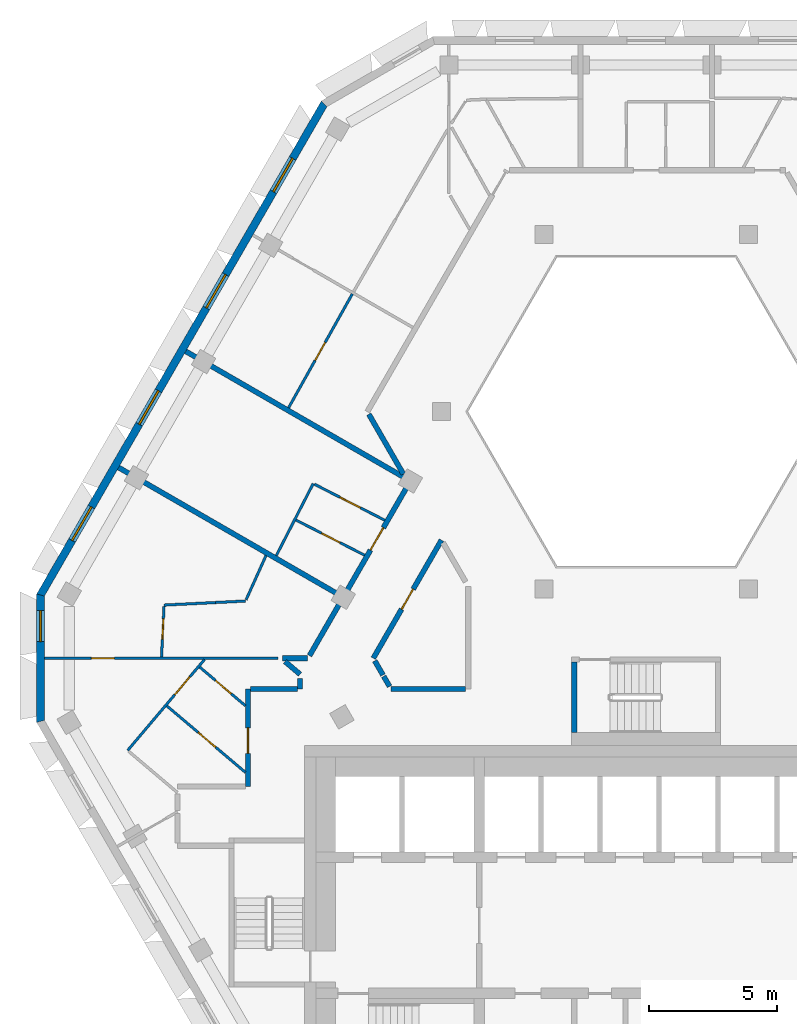
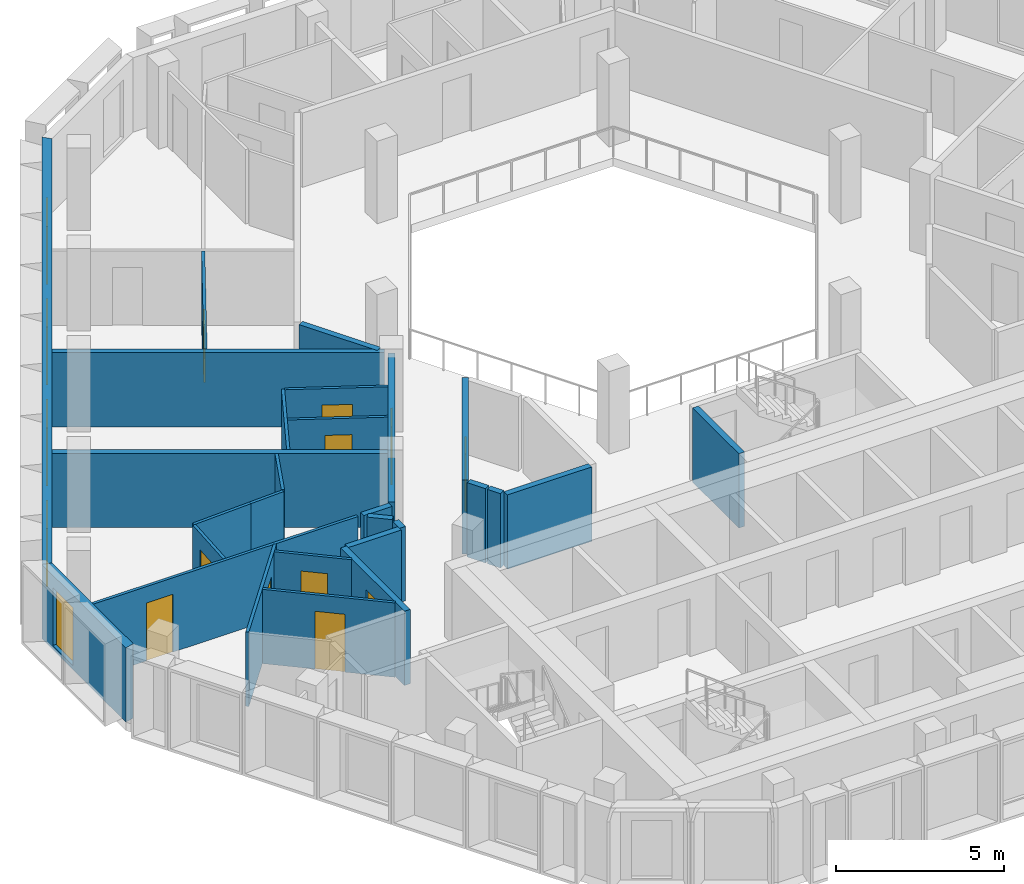
# One storey, part 4 of 15: 28 walls, 11 doors, 5 windows, 16 openings.
"""IFC4 building model written with IfcOpenShell, lengths in metres."""

from ifc_helpers import new_model, si_unit, direction, frame, frame_2d, origin, place, context, subcontext, project, spatial, polyline, rectangle, outline, extrude, material, layer, layer_set, type_object, element, fill, save


model = new_model("IFC4")

# Units and contexts
model_context = context("Model", 3, precision=1e-05, world=origin(), true_north=direction((0.0, 1.0)))
body_context = subcontext(model_context, "Body", "Model", "MODEL_VIEW")
ifc_project = project(units=[si_unit("LENGTHUNIT", "METRE"), si_unit("AREAUNIT", "SQUARE_METRE"), si_unit("VOLUMEUNIT", "CUBIC_METRE"), si_unit("PLANEANGLEUNIT", "RADIAN"), si_unit("MASSUNIT", "GRAM", prefix="KILO")], contexts=[model_context])

# Site, building, storey
site_placement = place(None, origin())
site = spatial("IfcSite", under=ifc_project, at=site_placement, CompositionType="ELEMENT")
building_placement = place(site_placement, origin())
building = spatial("IfcBuilding", under=site, at=building_placement, Name="Beryl Residences", CompositionType="ELEMENT")
storey_placement = place(building_placement, frame((0.0, 0.0, 217.800048828125)))
storey = spatial("IfcBuildingStorey", under=building, at=storey_placement, Name="L67", CompositionType="ELEMENT", Elevation=217.800048828125)

# Wall, openings, windows
ifc_material_1 = material(Name="Composite metal panel with mineral wool insulation")
ifc_layer_1 = layer(ifc_material_1, 0.300048828125)
ifc_layer_set_1 = layer_set([ifc_layer_1], Name="ES1 pale metal composite panel wall 300 mm")
wall_type_1 = type_object("IfcWallType", Name="ES1 pale metal composite panel wall 300 mm", PredefinedType="SOLIDWALL", material=ifc_layer_set_1)
wall_1_placement = place(storey_placement, frame((-12.513916015625, 20.02490234375, 0.0), z_axis=(0.0, 0.0, 1.0), x_axis=(-0.500003656944, -0.866023292436, 0.0)))
wall_1 = element("IfcWall", 1, at=wall_1_placement, inside=storey, type_object=wall_type_1, Name="ES1 external wall L67 NW", PredefinedType="SOLIDWALL", context=body_context, shape_type="SweptSolid", body=[
    extrude(outline(polyline([(0.0, -0.14990234375), (22.170166015625, -0.14990234375), (22.08984375, 0.14990234375), (0.080322265625, 0.14990234375), (0.0, -0.14990234375)])), origin(), (0.0, 0.0, 1.0), 2.699951171875),
])
opening_1_placement = place(wall_1_placement, frame((2.4970703125, 0.0, 0.14990234375)))
opening_1 = element("IfcOpeningElement", 2, at=opening_1_placement, cuts=wall_1, Name="Opening W1", PredefinedType="OPENING", context=body_context, shape_type="SweptSolid", body=[
    extrude(rectangle(XDim=1.5, YDim=2.10009765625, at=frame_2d((0.75, 1.050048828125))), frame((0.0, 0.159912109375, 0.0), z_axis=(0.0, -1.0, 0.0), x_axis=(1.0, 0.0, 0.0)), (0.0, 0.0, 1.0), 0.320068359375),
])
opening_2_placement = place(wall_1_placement, frame((7.721923828125, 0.0, 0.14990234375)))
opening_2 = element("IfcOpeningElement", 3, at=opening_2_placement, cuts=wall_1, Name="Opening W1", PredefinedType="OPENING", context=body_context, shape_type="SweptSolid", body=[
    extrude(rectangle(XDim=1.5, YDim=2.10009765625, at=frame_2d((0.75, 1.050048828125))), frame((0.0, 0.159912109375, 0.0), z_axis=(0.0, -1.0, 0.0), x_axis=(1.0, 0.0, 0.0)), (0.0, 0.0, 1.0), 0.320068359375),
])
opening_3_placement = place(wall_1_placement, frame((12.947998046875, 0.0, 0.14990234375)))
opening_3 = element("IfcOpeningElement", 4, at=opening_3_placement, cuts=wall_1, Name="Opening W1", PredefinedType="OPENING", context=body_context, shape_type="SweptSolid", body=[
    extrude(rectangle(XDim=1.5, YDim=2.10009765625, at=frame_2d((0.75, 1.050048828125))), frame((0.0, 0.159912109375, 0.0), z_axis=(0.0, -1.0, 0.0), x_axis=(1.0, 0.0, 0.0)), (0.0, 0.0, 1.0), 0.320068359375),
])
opening_4_placement = place(wall_1_placement, frame((18.173095703125, 0.0, 0.14990234375)))
opening_4 = element("IfcOpeningElement", 5, at=opening_4_placement, cuts=wall_1, Name="Opening W1", PredefinedType="OPENING", context=body_context, shape_type="SweptSolid", body=[
    extrude(rectangle(XDim=1.5, YDim=2.10009765625, at=frame_2d((0.75, 1.050048828125))), frame((0.0, 0.159912109375, 0.0), z_axis=(0.0, -1.0, 0.0), x_axis=(1.0, 0.0, 0.0)), (0.0, 0.0, 1.0), 0.320068359375),
])
ifc_material_2 = material(Name="Aluminium and clear glass", Category="aluminium")
window_type_1 = type_object("IfcWindowType", Name="W1 cell window 1500 x 2100 mm", PartitioningType="SINGLE_PANEL", PredefinedType="WINDOW", material=ifc_material_2)
window_1_placement = place(opening_1_placement, origin())
window_1 = element("IfcWindow", 6, at=window_1_placement, inside=storey, type_object=window_type_1, Name="W1 window L67 NW 2", OverallHeight=2.10009765625, OverallWidth=1.5, PartitioningType="SINGLE_PANEL", PredefinedType="WINDOW", context=body_context, shape_type="SweptSolid", body=[
    extrude(rectangle(XDim=1.5, YDim=2.10009765625, at=frame_2d((0.75, 1.050048828125))), frame((0.0, 0.030029296875, 0.0), z_axis=(0.0, -1.0, 0.0), x_axis=(1.0, 0.0, 0.0)), (0.0, 0.0, 1.0), 0.06005859375),
])
fill(opening_1, window_1)
window_2_placement = place(opening_2_placement, origin())
window_2 = element("IfcWindow", 7, at=window_2_placement, inside=storey, type_object=window_type_1, Name="W1 window L67 NW 4", OverallHeight=2.10009765625, OverallWidth=1.5, PartitioningType="SINGLE_PANEL", PredefinedType="WINDOW", context=body_context, shape_type="SweptSolid", body=[
    extrude(rectangle(XDim=1.5, YDim=2.10009765625, at=frame_2d((0.75, 1.050048828125))), frame((0.0, 0.030029296875, 0.0), z_axis=(0.0, -1.0, 0.0), x_axis=(1.0, 0.0, 0.0)), (0.0, 0.0, 1.0), 0.06005859375),
])
fill(opening_2, window_2)
window_3_placement = place(opening_3_placement, origin())
window_3 = element("IfcWindow", 8, at=window_3_placement, inside=storey, type_object=window_type_1, Name="W1 window L67 NW 6", OverallHeight=2.10009765625, OverallWidth=1.5, PartitioningType="SINGLE_PANEL", PredefinedType="WINDOW", context=body_context, shape_type="SweptSolid", body=[
    extrude(rectangle(XDim=1.5, YDim=2.10009765625, at=frame_2d((0.75, 1.050048828125))), frame((0.0, 0.030029296875, 0.0), z_axis=(0.0, -1.0, 0.0), x_axis=(1.0, 0.0, 0.0)), (0.0, 0.0, 1.0), 0.06005859375),
])
fill(opening_3, window_3)
window_4_placement = place(opening_4_placement, origin())
window_4 = element("IfcWindow", 9, at=window_4_placement, inside=storey, type_object=window_type_1, Name="W1 window L67 NW 8", OverallHeight=2.10009765625, OverallWidth=1.5, PartitioningType="SINGLE_PANEL", PredefinedType="WINDOW", context=body_context, shape_type="SweptSolid", body=[
    extrude(rectangle(XDim=1.5, YDim=2.10009765625, at=frame_2d((0.75, 1.050048828125))), frame((0.0, 0.030029296875, 0.0), z_axis=(0.0, -1.0, 0.0), x_axis=(1.0, 0.0, 0.0)), (0.0, 0.0, 1.0), 0.06005859375),
])
fill(opening_4, window_4)

# Wall, opening, window
wall_2_placement = place(storey_placement, frame((-23.5791015625, 0.89990234375, 0.0), z_axis=(0.0, 0.0, 1.0), x_axis=(0.0, -1.0, 0.0)))
wall_2 = element("IfcWall", 10, at=wall_2_placement, inside=storey, type_object=wall_type_1, Name="ES1 external wall L67 NW-SW", PredefinedType="SOLIDWALL", context=body_context, shape_type="SweptSolid", body=[
    extrude(outline(polyline([(0.0, -0.14990234375), (5.0, -0.14990234375), (4.919677734375, 0.14990234375), (0.080322265625, 0.14990234375), (0.0, -0.14990234375)])), origin(), (0.0, 0.0, 1.0), 2.699951171875),
])
opening_5_placement = place(wall_2_placement, frame((0.64990234375, 0.0, 0.14990234375)))
opening_5 = element("IfcOpeningElement", 11, at=opening_5_placement, cuts=wall_2, Name="Opening W2", PredefinedType="OPENING", context=body_context, shape_type="SweptSolid", body=[
    extrude(rectangle(XDim=1.199951171875, YDim=2.10009765625, at=frame_2d((0.60009765625, 1.050048828125))), frame((0.0, 0.159912109375, 0.0), z_axis=(0.0, -1.0, 0.0), x_axis=(1.0, 0.0, 0.0)), (0.0, 0.0, 1.0), 0.320068359375),
])
ifc_material_3 = material(Name="Aluminium and clear glass", Category="aluminium")
window_type_2 = type_object("IfcWindowType", Name="W2 chamfer window 1200 x 2100 mm", PartitioningType="SINGLE_PANEL", PredefinedType="WINDOW", material=ifc_material_3)
window_5_placement = place(opening_5_placement, origin())
window_5 = element("IfcWindow", 12, at=window_5_placement, inside=storey, type_object=window_type_2, Name="W2 window L67 NW-SW 1", OverallHeight=2.10009765625, OverallWidth=1.199951171875, PartitioningType="SINGLE_PANEL", PredefinedType="WINDOW", context=body_context, shape_type="SweptSolid", body=[
    extrude(rectangle(XDim=1.199951171875, YDim=2.10009765625, at=frame_2d((0.60009765625, 1.050048828125))), frame((0.0, 0.030029296875, 0.0), z_axis=(0.0, -1.0, 0.0), x_axis=(1.0, 0.0, 0.0)), (0.0, 0.0, 1.0), 0.06005859375),
])
fill(opening_5, window_5)

# Wall, opening, door
ifc_material_4 = material(Name="Gypsum board partition on steel studs", Category="steel")
ifc_layer_2 = layer(ifc_material_4, 0.10009765625)
ifc_layer_set_2 = layer_set([ifc_layer_2], Name="PT1 partition 100 mm gypsum board on steel studs")
wall_type_2 = type_object("IfcWallType", Name="PT1 partition 100 mm gypsum board on steel studs", PredefinedType="PARTITIONING", material=ifc_layer_set_2)
wall_3_placement = place(storey_placement, frame((-12.9169921875, 5.177001953125, 0.0), z_axis=(0.0, 0.0, 1.0), x_axis=(0.889829844516, -0.456292502467, 0.0)))
wall_3 = element("IfcWall", 13, at=wall_3_placement, inside=storey, type_object=wall_type_2, Name="Wall PT1 L67 015", PredefinedType="PARTITIONING", context=body_context, shape_type="SweptSolid", body=[
    extrude(rectangle(XDim=3.079345703125, YDim=0.10009765625, at=frame_2d((1.53955078125, 0.0))), origin(), (0.0, 0.0, 1.0), 2.699951171875),
])
opening_6_placement = place(wall_3_placement, frame((1.114013671875, 0.0, 0.0)))
opening_6 = element("IfcOpeningElement", 14, at=opening_6_placement, cuts=wall_3, Name="Opening D2121", PredefinedType="OPENING", context=body_context, shape_type="SweptSolid", body=[
    extrude(rectangle(XDim=0.89990234375, YDim=2.10009765625, at=frame_2d((0.449951171875, 1.050048828125))), frame((0.0, 0.06005859375, 0.0), z_axis=(0.0, -1.0, 0.0), x_axis=(1.0, 0.0, 0.0)), (0.0, 0.0, 1.0), 0.1201171875),
])
ifc_material_5 = material(Name="Timber door leaf", Category="wood")
door_type_1 = type_object("IfcDoorType", Name="D2 room door 900 x 2100 mm", OperationType="SINGLE_SWING_LEFT", PredefinedType="DOOR", material=ifc_material_5)
door_1_placement = place(opening_6_placement, origin())
door_1 = element("IfcDoor", 15, at=door_1_placement, inside=storey, type_object=door_type_1, Name="Door D2121 L67 001", OperationType="SINGLE_SWING_LEFT", OverallHeight=2.10009765625, OverallWidth=0.89990234375, PredefinedType="DOOR", context=body_context, shape_type="SweptSolid", body=[
    extrude(rectangle(XDim=0.89990234375, YDim=2.10009765625, at=frame_2d((0.449951171875, 1.050048828125))), frame((0.0, 0.02490234375, 0.0), z_axis=(0.0, -1.0, 0.0), x_axis=(1.0, 0.0, 0.0)), (0.0, 0.0, 1.0), 0.050048828125),
])
fill(opening_6, door_1)

wall_4_placement = place(storey_placement, frame((-13.634033203125, 3.780029296875, 0.0), z_axis=(0.0, 0.0, 1.0), x_axis=(0.889908901513, -0.456138298116, 0.0)))
wall_4 = element("IfcWall", 16, at=wall_4_placement, inside=storey, type_object=wall_type_2, Name="Wall PT1 L67 016", PredefinedType="PARTITIONING", context=body_context, shape_type="SweptSolid", body=[
    extrude(rectangle(XDim=3.001708984375, YDim=0.10009765625, at=frame_2d((1.5009765625, 0.0))), origin(), (0.0, 0.0, 1.0), 2.699951171875),
])
opening_7_placement = place(wall_4_placement, frame((1.1259765625, 0.0, 0.0)))
opening_7 = element("IfcOpeningElement", 17, at=opening_7_placement, cuts=wall_4, Name="Opening D2122", PredefinedType="OPENING", context=body_context, shape_type="SweptSolid", body=[
    extrude(rectangle(XDim=0.800048828125, YDim=2.10009765625, at=frame_2d((0.39990234375, 1.050048828125))), frame((0.0, 0.06005859375, 0.0), z_axis=(0.0, -1.0, 0.0), x_axis=(1.0, 0.0, 0.0)), (0.0, 0.0, 1.0), 0.1201171875),
])
ifc_material_6 = material(Name="Timber door leaf", Category="wood")
door_type_2 = type_object("IfcDoorType", Name="D3 bathroom door 800 x 2100 mm", OperationType="SINGLE_SWING_LEFT", PredefinedType="DOOR", material=ifc_material_6)
door_2_placement = place(opening_7_placement, origin())
door_2 = element("IfcDoor", 18, at=door_2_placement, inside=storey, type_object=door_type_2, Name="Door D2122 L67 001", OperationType="SINGLE_SWING_RIGHT", OverallHeight=2.10009765625, OverallWidth=0.800048828125, PredefinedType="DOOR", context=body_context, shape_type="SweptSolid", body=[
    extrude(rectangle(XDim=0.800048828125, YDim=2.10009765625, at=frame_2d((0.39990234375, 1.050048828125))), frame((0.0, 0.02490234375, 0.0), z_axis=(0.0, -1.0, 0.0), x_axis=(1.0, 0.0, 0.0)), (0.0, 0.0, 1.0), 0.050048828125),
])
fill(opening_7, door_2)

wall_5_placement = place(storey_placement, frame((-17.3798828125, -1.947021484375, 0.0), z_axis=(0.0, 0.0, 1.0), x_axis=(0.763616683524, -0.645669854217, 0.0)))
wall_5 = element("IfcWall", 19, at=wall_5_placement, inside=storey, type_object=wall_type_2, Name="Wall PT1 L67 019", PredefinedType="PARTITIONING", context=body_context, shape_type="SweptSolid", body=[
    extrude(rectangle(XDim=2.330810546875, YDim=0.10009765625, at=frame_2d((1.16552734375, 0.0))), origin(), (0.0, 0.0, 1.0), 2.699951171875),
])
opening_8_placement = place(wall_5_placement, frame((0.805908203125, 0.0, 0.0)))
opening_8 = element("IfcOpeningElement", 20, at=opening_8_placement, cuts=wall_5, Name="Opening D2125", PredefinedType="OPENING", context=body_context, shape_type="SweptSolid", body=[
    extrude(rectangle(XDim=0.800048828125, YDim=2.10009765625, at=frame_2d((0.39990234375, 1.050048828125))), frame((0.0, 0.06005859375, 0.0), z_axis=(0.0, -1.0, 0.0), x_axis=(1.0, 0.0, 0.0)), (0.0, 0.0, 1.0), 0.1201171875),
])
door_3_placement = place(opening_8_placement, origin())
door_3 = element("IfcDoor", 21, at=door_3_placement, inside=storey, type_object=door_type_2, Name="Door D2125 L67 001", OperationType="SINGLE_SWING_LEFT", OverallHeight=2.10009765625, OverallWidth=0.800048828125, PredefinedType="DOOR", context=body_context, shape_type="SweptSolid", body=[
    extrude(rectangle(XDim=0.800048828125, YDim=2.10009765625, at=frame_2d((0.39990234375, 1.050048828125))), frame((0.0, 0.02490234375, 0.0), z_axis=(0.0, -1.0, 0.0), x_axis=(1.0, 0.0, 0.0)), (0.0, 0.0, 1.0), 0.050048828125),
])
fill(opening_8, door_3)

wall_6_placement = place(storey_placement, frame((-18.658935546875, -3.458984375, 0.0), z_axis=(0.0, 0.0, 1.0), x_axis=(0.763550385572, -0.64574825489, 0.0)))
wall_6 = element("IfcWall", 22, at=wall_6_placement, inside=storey, type_object=wall_type_2, Name="Wall PT1 L67 020", PredefinedType="PARTITIONING", context=body_context, shape_type="SweptSolid", body=[
    extrude(rectangle(XDim=4.006103515625, YDim=0.10009765625, at=frame_2d((2.0029296875, 0.0))), origin(), (0.0, 0.0, 1.0), 2.699951171875),
])
opening_9_placement = place(wall_6_placement, frame((1.593017578125, 0.0, 0.0)))
opening_9 = element("IfcOpeningElement", 23, at=opening_9_placement, cuts=wall_6, Name="Opening D2124", PredefinedType="OPENING", context=body_context, shape_type="SweptSolid", body=[
    extrude(rectangle(XDim=0.89990234375, YDim=2.10009765625, at=frame_2d((0.449951171875, 1.050048828125))), frame((0.0, 0.06005859375, 0.0), z_axis=(0.0, -1.0, 0.0), x_axis=(1.0, 0.0, 0.0)), (0.0, 0.0, 1.0), 0.1201171875),
])
door_4_placement = place(opening_9_placement, origin())
door_4 = element("IfcDoor", 24, at=door_4_placement, inside=storey, type_object=door_type_1, Name="Door D2124 L67 001", OperationType="SINGLE_SWING_RIGHT", OverallHeight=2.10009765625, OverallWidth=0.89990234375, PredefinedType="DOOR", context=body_context, shape_type="SweptSolid", body=[
    extrude(rectangle(XDim=0.89990234375, YDim=2.10009765625, at=frame_2d((0.449951171875, 1.050048828125))), frame((0.0, 0.02490234375, 0.0), z_axis=(0.0, -1.0, 0.0), x_axis=(1.0, 0.0, 0.0)), (0.0, 0.0, 1.0), 0.050048828125),
])
fill(opening_9, door_4)

wall_7_placement = place(storey_placement, frame((-23.428955078125, -1.60107421875, 0.0), z_axis=(0.0, 0.0, 1.0), x_axis=(0.999999994233, 0.000107396965, 0.0)))
wall_7 = element("IfcWall", 25, at=wall_7_placement, inside=storey, type_object=wall_type_2, Name="Wall PT1 L67 022", PredefinedType="PARTITIONING", context=body_context, shape_type="SweptSolid", body=[
    extrude(rectangle(XDim=9.093017578125, YDim=0.10009765625, at=frame_2d((4.54638671875, 0.0))), origin(), (0.0, 0.0, 1.0), 2.699951171875),
])
opening_10_placement = place(wall_7_placement, frame((1.8291015625, 0.0, 0.0)))
opening_10 = element("IfcOpeningElement", 26, at=opening_10_placement, cuts=wall_7, Name="Opening D2127", PredefinedType="OPENING", context=body_context, shape_type="SweptSolid", body=[
    extrude(rectangle(XDim=0.89990234375, YDim=2.10009765625, at=frame_2d((0.449951171875, 1.050048828125))), frame((0.0, 0.06005859375, 0.0), z_axis=(0.0, -1.0, 0.0), x_axis=(1.0, 0.0, 0.0)), (0.0, 0.0, 1.0), 0.1201171875),
])
door_5_placement = place(opening_10_placement, origin())
door_5 = element("IfcDoor", 27, at=door_5_placement, inside=storey, type_object=door_type_1, Name="Door D2127 L67 001", OperationType="SINGLE_SWING_LEFT", OverallHeight=2.10009765625, OverallWidth=0.89990234375, PredefinedType="DOOR", context=body_context, shape_type="SweptSolid", body=[
    extrude(rectangle(XDim=0.89990234375, YDim=2.10009765625, at=frame_2d((0.449951171875, 1.050048828125))), frame((0.0, 0.02490234375, 0.0), z_axis=(0.0, -1.0, 0.0), x_axis=(1.0, 0.0, 0.0)), (0.0, 0.0, 1.0), 0.050048828125),
])
fill(opening_10, door_5)

wall_8_placement = place(storey_placement, frame((-20.18798828125, -5.19091796875, 0.0), z_axis=(0.0, 0.0, 1.0), x_axis=(0.645524337256, 0.763739700429, 0.0)))
wall_8 = element("IfcWall", 28, at=wall_8_placement, inside=storey, type_object=wall_type_2, Name="Wall PT1 L67 026", PredefinedType="PARTITIONING", context=body_context, shape_type="SweptSolid", body=[
    extrude(rectangle(XDim=4.636474609375, YDim=0.10009765625, at=frame_2d((2.318359375, 0.0))), origin(), (0.0, 0.0, 1.0), 2.699951171875),
])
opening_11_placement = place(wall_8_placement, frame((2.85009765625, 0.0, 0.0)))
opening_11 = element("IfcOpeningElement", 29, at=opening_11_placement, cuts=wall_8, Name="Opening D2126", PredefinedType="OPENING", context=body_context, shape_type="SweptSolid", body=[
    extrude(rectangle(XDim=0.89990234375, YDim=2.10009765625, at=frame_2d((0.449951171875, 1.050048828125))), frame((0.0, 0.06005859375, 0.0), z_axis=(0.0, -1.0, 0.0), x_axis=(1.0, 0.0, 0.0)), (0.0, 0.0, 1.0), 0.1201171875),
])
door_6_placement = place(opening_11_placement, origin())
door_6 = element("IfcDoor", 30, at=door_6_placement, inside=storey, type_object=door_type_1, Name="Door D2126 L67 001", OperationType="SINGLE_SWING_RIGHT", OverallHeight=2.10009765625, OverallWidth=0.89990234375, PredefinedType="DOOR", context=body_context, shape_type="SweptSolid", body=[
    extrude(rectangle(XDim=0.89990234375, YDim=2.10009765625, at=frame_2d((0.449951171875, 1.050048828125))), frame((0.0, 0.02490234375, 0.0), z_axis=(0.0, -1.0, 0.0), x_axis=(1.0, 0.0, 0.0)), (0.0, 0.0, 1.0), 0.050048828125),
])
fill(opening_11, door_6)

# Wall
wall_9_placement = place(storey_placement, frame((-15.574951171875, 0.677001953125, 0.0), z_axis=(0.0, 0.0, 1.0), x_axis=(0.410768223147, 0.911739802165, 0.0)))
element("IfcWall", 31, at=wall_9_placement, inside=storey, type_object=wall_type_2, Name="Wall PT1 L67 028", PredefinedType="PARTITIONING", context=body_context, shape_type="SweptSolid", body=[
    extrude(rectangle(XDim=1.886474609375, YDim=0.10009765625, at=frame_2d((0.943359375, 0.0))), origin(), (0.0, 0.0, 1.0), 2.699951171875),
])

# Wall, opening, door
wall_10_placement = place(storey_placement, frame((-13.9208984375, 8.153076171875, 0.0), z_axis=(0.0, 0.0, 1.0), x_axis=(0.488568218554, 0.872525699231, 0.0)))
wall_10 = element("IfcWall", 32, at=wall_10_placement, inside=storey, type_object=wall_type_2, Name="Wall PT1 L67 031", PredefinedType="PARTITIONING", context=body_context, shape_type="SweptSolid", body=[
    extrude(rectangle(XDim=5.075927734375, YDim=0.10009765625, at=frame_2d((2.5380859375, 0.0))), origin(), (0.0, 0.0, 1.0), 2.699951171875),
])
opening_12_placement = place(wall_10_placement, frame((2.113037109375, 0.0, 0.0)))
opening_12 = element("IfcOpeningElement", 33, at=opening_12_placement, cuts=wall_10, Name="Opening D2119", PredefinedType="OPENING", context=body_context, shape_type="SweptSolid", body=[
    extrude(rectangle(XDim=0.800048828125, YDim=2.10009765625, at=frame_2d((0.39990234375, 1.050048828125))), frame((0.0, 0.06005859375, 0.0), z_axis=(0.0, -1.0, 0.0), x_axis=(1.0, 0.0, 0.0)), (0.0, 0.0, 1.0), 0.1201171875),
])
door_7_placement = place(opening_12_placement, origin())
door_7 = element("IfcDoor", 34, at=door_7_placement, inside=storey, type_object=door_type_2, Name="Door D2119 L67 001", OperationType="SINGLE_SWING_LEFT", OverallHeight=2.10009765625, OverallWidth=0.800048828125, PredefinedType="DOOR", context=body_context, shape_type="SweptSolid", body=[
    extrude(rectangle(XDim=0.800048828125, YDim=2.10009765625, at=frame_2d((0.39990234375, 1.050048828125))), frame((0.0, 0.02490234375, 0.0), z_axis=(0.0, -1.0, 0.0), x_axis=(1.0, 0.0, 0.0)), (0.0, 0.0, 1.0), 0.050048828125),
])
fill(opening_12, door_7)

# Wall
wall_11_placement = place(storey_placement, frame((-14.39892578125, 2.39599609375, 0.0), z_axis=(0.0, 0.0, 1.0), x_axis=(0.455967231787, 0.889996563778, 0.0)))
element("IfcWall", 35, at=wall_11_placement, inside=storey, type_object=wall_type_2, Name="Wall PT1 L67 034", PredefinedType="PARTITIONING", context=body_context, shape_type="SweptSolid", body=[
    extrude(rectangle(XDim=3.1494140625, YDim=0.10009765625, at=frame_2d((1.57470703125, 0.0))), origin(), (0.0, 0.0, 1.0), 2.699951171875),
])

# Wall, opening, door
wall_12_placement = place(storey_placement, frame((-18.868896484375, -1.550048828125, 0.0), z_axis=(0.0, 0.0, 1.0), x_axis=(0.049189853645, 0.998789446429, 0.0)))
wall_12 = element("IfcWall", 36, at=wall_12_placement, inside=storey, type_object=wall_type_2, Name="Wall PT1 L67 035", PredefinedType="PARTITIONING", context=body_context, shape_type="SweptSolid", body=[
    extrude(rectangle(XDim=1.970458984375, YDim=0.10009765625, at=frame_2d((0.9853515625, 0.0))), origin(), (0.0, 0.0, 1.0), 2.699951171875),
])
opening_13_placement = place(wall_12_placement, frame((0.68408203125, 0.0, 0.0)))
opening_13 = element("IfcOpeningElement", 37, at=opening_13_placement, cuts=wall_12, Name="Opening D2129", PredefinedType="OPENING", context=body_context, shape_type="SweptSolid", body=[
    extrude(rectangle(XDim=0.800048828125, YDim=2.10009765625, at=frame_2d((0.39990234375, 1.050048828125))), frame((0.0, 0.06005859375, 0.0), z_axis=(0.0, -1.0, 0.0), x_axis=(1.0, 0.0, 0.0)), (0.0, 0.0, 1.0), 0.1201171875),
])
door_8_placement = place(opening_13_placement, origin())
door_8 = element("IfcDoor", 38, at=door_8_placement, inside=storey, type_object=door_type_2, Name="Door D2129 L67 001", OperationType="SINGLE_SWING_LEFT", OverallHeight=2.10009765625, OverallWidth=0.800048828125, PredefinedType="DOOR", context=body_context, shape_type="SweptSolid", body=[
    extrude(rectangle(XDim=0.800048828125, YDim=2.10009765625, at=frame_2d((0.39990234375, 1.050048828125))), frame((0.0, 0.02490234375, 0.0), z_axis=(0.0, -1.0, 0.0), x_axis=(1.0, 0.0, 0.0)), (0.0, 0.0, 1.0), 0.050048828125),
])
fill(opening_13, door_8)

# Walls
wall_13_placement = place(storey_placement, frame((-18.76904296875, 0.468994140625, 0.0), z_axis=(0.0, 0.0, 1.0), x_axis=(0.998780383332, 0.049373534108, 0.0)))
element("IfcWall", 39, at=wall_13_placement, inside=storey, type_object=wall_type_2, Name="Wall PT1 L67 046", PredefinedType="PARTITIONING", context=body_context, shape_type="SweptSolid", body=[
    extrude(rectangle(XDim=2.007568359375, YDim=0.10009765625, at=frame_2d((1.00390625, 0.0))), origin(), (0.0, 0.0, 1.0), 2.699951171875),
])
wall_14_placement = place(storey_placement, frame((-16.763916015625, 0.569091796875, 0.0), z_axis=(0.0, 0.0, 1.0), x_axis=(0.998812102885, 0.048727642373, 0.0)))
element("IfcWall", 40, at=wall_14_placement, inside=storey, type_object=wall_type_2, Name="Wall PT1 L67 047", PredefinedType="PARTITIONING", context=body_context, shape_type="SweptSolid", body=[
    extrude(rectangle(XDim=1.16748046875, YDim=0.10009765625, at=frame_2d((0.583740234375, 0.0))), origin(), (0.0, 0.0, 1.0), 2.699951171875),
])
ifc_material_7 = material(Name="Acoustic double stud gypsum board wall")
ifc_layer_3 = layer(ifc_material_7, 0.199951171875)
ifc_layer_set_3 = layer_set([ifc_layer_3], Name="PT3 party wall 200 mm acoustic double stud")
wall_type_3 = type_object("IfcWallType", Name="PT3 party wall 200 mm acoustic double stud", PredefinedType="PARTITIONING", material=ifc_layer_set_3)
wall_15_placement = place(storey_placement, frame((-20.5390625, 5.824951171875, 0.0), z_axis=(0.0, 0.0, 1.0), x_axis=(0.866046068403, -0.499964206122, 0.0)))
element("IfcWall", 41, at=wall_15_placement, inside=storey, type_object=wall_type_3, Name="Wall PT3 L67 004", PredefinedType="PARTITIONING", context=body_context, shape_type="SweptSolid", body=[
    extrude(rectangle(XDim=9.994873046875, YDim=0.199951171875, at=frame_2d((4.99755859375, 0.0))), origin(), (0.0, 0.0, 1.0), 2.699951171875),
])
wall_16_placement = place(storey_placement, frame((-17.926025390625, 10.35009765625, 0.0), z_axis=(0.0, 0.0, 1.0), x_axis=(0.866018411306, -0.500012111133, 0.0)))
element("IfcWall", 42, at=wall_16_placement, inside=storey, type_object=wall_type_3, Name="Wall PT3 L67 005", PredefinedType="PARTITIONING", context=body_context, shape_type="SweptSolid", body=[
    extrude(rectangle(XDim=9.898193359375, YDim=0.199951171875, at=frame_2d((4.94921875, 0.0))), origin(), (0.0, 0.0, 1.0), 2.699951171875),
])
wall_17_placement = place(storey_placement, frame((-14.05908203125, -1.72998046875, 0.0), z_axis=(0.0, 0.0, 1.0), x_axis=(0.763289607824, -0.64605647941, 0.0)))
element("IfcWall", 43, at=wall_17_placement, inside=storey, type_object=wall_type_3, Name="Wall PT3 L67 010", PredefinedType="PARTITIONING", context=body_context, shape_type="SweptSolid", body=[
    extrude(rectangle(XDim=0.766357421875, YDim=0.199951171875, at=frame_2d((0.38330078125, 0.0))), origin(), (0.0, 0.0, 1.0), 2.699951171875),
])
wall_18_placement = place(storey_placement, frame((-14.166015625, -1.60009765625, 0.0), z_axis=(0.0, 0.0, 1.0), x_axis=(1.0, 0.0, 0.0)))
element("IfcWall", 44, at=wall_18_placement, inside=storey, type_object=wall_type_3, Name="Wall PT3 L67 011", PredefinedType="PARTITIONING", context=body_context, shape_type="SweptSolid", body=[
    extrude(rectangle(XDim=0.972900390625, YDim=0.199951171875, at=frame_2d((0.486328125, 0.0))), origin(), (0.0, 0.0, 1.0), 2.699951171875),
])
ifc_material_8 = material(Name="Double stud gypsum board wall")
ifc_layer_4 = layer(ifc_material_8, 0.199951171875)
ifc_layer_set_4 = layer_set([ifc_layer_4], Name="PT4 corridor wall 200 mm double stud")
wall_type_4 = type_object("IfcWallType", Name="PT4 corridor wall 200 mm double stud", PredefinedType="PARTITIONING", material=ifc_layer_set_4)
wall_19_placement = place(storey_placement, frame((-10.7958984375, 7.89990234375, 0.0), z_axis=(0.0, 0.0, 1.0), x_axis=(0.499698840221, -0.866199208659, 0.0)))
element("IfcWall", 45, at=wall_19_placement, inside=storey, type_object=wall_type_4, Name="Wall PT4 L67 001", PredefinedType="PARTITIONING", context=body_context, shape_type="SweptSolid", body=[
    extrude(rectangle(XDim=2.685302734375, YDim=0.199951171875, at=frame_2d((1.3427734375, 0.0))), origin(), (0.0, 0.0, 1.0), 2.699951171875),
])
wall_20_placement = place(storey_placement, frame((-10.56494140625, -1.700927734375, 0.0), z_axis=(0.0, 0.0, 1.0), x_axis=(0.499512735409, -0.866306543416, 0.0)))
element("IfcWall", 46, at=wall_20_placement, inside=storey, type_object=wall_type_4, Name="Wall PT4 L67 003", PredefinedType="PARTITIONING", context=body_context, shape_type="SweptSolid", body=[
    extrude(rectangle(XDim=0.638427734375, YDim=0.199951171875, at=frame_2d((0.3193359375, 0.0))), origin(), (0.0, 0.0, 1.0), 2.699951171875),
])
wall_21_placement = place(storey_placement, frame((-10.217041015625, -2.303955078125, 0.0), z_axis=(0.0, 0.0, 1.0), x_axis=(0.499013081552, -0.866594452117, 0.0)))
element("IfcWall", 47, at=wall_21_placement, inside=storey, type_object=wall_type_4, Name="Wall PT4 L67 004", PredefinedType="PARTITIONING", context=body_context, shape_type="SweptSolid", body=[
    extrude(rectangle(XDim=0.45703125, YDim=0.199951171875, at=frame_2d((0.228515625, 0.0))), origin(), (0.0, 0.0, 1.0), 2.699951171875),
])
wall_22_placement = place(storey_placement, frame((-15.39892578125, -2.800048828125, 0.0), z_axis=(0.0, 0.0, 1.0), x_axis=(1.0, 0.0, 0.0)))
element("IfcWall", 48, at=wall_22_placement, inside=storey, type_object=wall_type_4, Name="Wall PT4 L67 014", PredefinedType="PARTITIONING", context=body_context, shape_type="SweptSolid", body=[
    extrude(rectangle(XDim=1.824951171875, YDim=0.199951171875, at=frame_2d((0.91259765625, 0.0))), origin(), (0.0, 0.0, 1.0), 2.699951171875),
])
wall_23_placement = place(storey_placement, frame((-9.929931640625, -2.800048828125, 0.0), z_axis=(0.0, 0.0, 1.0), x_axis=(1.0, 0.0, 0.0)))
element("IfcWall", 49, at=wall_23_placement, inside=storey, type_object=wall_type_4, Name="Wall PT4 L67 015", PredefinedType="PARTITIONING", context=body_context, shape_type="SweptSolid", body=[
    extrude(rectangle(XDim=2.90087890625, YDim=0.199951171875, at=frame_2d((1.450439453125, 0.0))), origin(), (0.0, 0.0, 1.0), 2.699951171875),
])

# Wall, opening, door
wall_24_placement = place(storey_placement, frame((-10.623046875, -1.60009765625, 0.0), z_axis=(0.0, 0.0, 1.0), x_axis=(0.500040865889, 0.866001808567, 0.0)))
wall_24 = element("IfcWall", 50, at=wall_24_placement, inside=storey, type_object=wall_type_4, Name="Wall PT4 L67 023", PredefinedType="PARTITIONING", context=body_context, shape_type="SweptSolid", body=[
    extrude(rectangle(XDim=5.3095703125, YDim=0.199951171875, at=frame_2d((2.65478515625, 0.0))), origin(), (0.0, 0.0, 1.0), 2.699951171875),
])
opening_14_placement = place(wall_24_placement, frame((2.205078125, 0.0, 0.0)))
opening_14 = element("IfcOpeningElement", 51, at=opening_14_placement, cuts=wall_24, Name="Opening D2144", PredefinedType="OPENING", context=body_context, shape_type="SweptSolid", body=[
    extrude(rectangle(XDim=0.89990234375, YDim=2.10009765625, at=frame_2d((0.449951171875, 1.050048828125))), frame((0.0, 0.10986328125, 0.0), z_axis=(0.0, -1.0, 0.0), x_axis=(1.0, 0.0, 0.0)), (0.0, 0.0, 1.0), 0.219970703125),
])
door_9_placement = place(opening_14_placement, origin())
door_9 = element("IfcDoor", 52, at=door_9_placement, inside=storey, type_object=door_type_1, Name="Door D2144 L67 001", OperationType="SINGLE_SWING_RIGHT", OverallHeight=2.10009765625, OverallWidth=0.89990234375, PredefinedType="DOOR", context=body_context, shape_type="SweptSolid", body=[
    extrude(rectangle(XDim=0.89990234375, YDim=2.10009765625, at=frame_2d((0.449951171875, 1.050048828125))), frame((0.0, 0.02490234375, 0.0), z_axis=(0.0, -1.0, 0.0), x_axis=(1.0, 0.0, 0.0)), (0.0, 0.0, 1.0), 0.050048828125),
])
fill(opening_14, door_9)

wall_25_placement = place(storey_placement, frame((-13.10595703125, -1.5, 0.0), z_axis=(0.0, 0.0, 1.0), x_axis=(0.500025705601, 0.86601056214, 0.0)))
wall_25 = element("IfcWall", 53, at=wall_25_placement, inside=storey, type_object=wall_type_4, Name="Wall PT4 L67 024", PredefinedType="PARTITIONING", context=body_context, shape_type="SweptSolid", body=[
    extrude(rectangle(XDim=7.7353515625, YDim=0.199951171875, at=frame_2d((3.86767578125, 0.0))), origin(), (0.0, 0.0, 1.0), 2.699951171875),
])
opening_15_placement = place(wall_25_placement, frame((4.748046875, 0.0, 0.0)))
opening_15 = element("IfcOpeningElement", 54, at=opening_15_placement, cuts=wall_25, Name="Opening D2120", PredefinedType="OPENING", context=body_context, shape_type="SweptSolid", body=[
    extrude(rectangle(XDim=1.0, YDim=2.10009765625, at=frame_2d((0.5, 1.050048828125))), frame((0.0, 0.10986328125, 0.0), z_axis=(0.0, -1.0, 0.0), x_axis=(1.0, 0.0, 0.0)), (0.0, 0.0, 1.0), 0.219970703125),
])
ifc_material_9 = material(Name="Timber door leaf", Category="wood")
door_type_3 = type_object("IfcDoorType", Name="D1 flat entrance door 1000 x 2100 mm", OperationType="SINGLE_SWING_LEFT", PredefinedType="DOOR", material=ifc_material_9)
door_10_placement = place(opening_15_placement, origin())
door_10 = element("IfcDoor", 55, at=door_10_placement, inside=storey, type_object=door_type_3, Name="Door D2120 L67 001", OperationType="SINGLE_SWING_RIGHT", OverallHeight=2.10009765625, OverallWidth=1.0, PredefinedType="DOOR", context=body_context, shape_type="SweptSolid", body=[
    extrude(rectangle(XDim=1.0, YDim=2.10009765625, at=frame_2d((0.5, 1.050048828125))), frame((0.0, 0.02490234375, 0.0), z_axis=(0.0, -1.0, 0.0), x_axis=(1.0, 0.0, 0.0)), (0.0, 0.0, 1.0), 0.050048828125),
])
fill(opening_15, door_10)

# Wall
wall_26_placement = place(storey_placement, frame((-13.472900390625, -2.799072265625, 0.0), z_axis=(0.0, 0.0, 1.0), x_axis=(0.0, 1.0, 0.0)))
element("IfcWall", 56, at=wall_26_placement, inside=storey, type_object=wall_type_4, Name="Wall PT4 L67 029", PredefinedType="PARTITIONING", context=body_context, shape_type="SweptSolid", body=[
    extrude(rectangle(XDim=0.412109375, YDim=0.199951171875, at=frame_2d((0.2060546875, 0.0))), origin(), (0.0, 0.0, 1.0), 2.699951171875),
])

# Wall, opening, door
wall_27_placement = place(storey_placement, frame((-15.5, -6.59912109375, 0.0), z_axis=(0.0, 0.0, 1.0), x_axis=(0.0, 1.0, 0.0)))
wall_27 = element("IfcWall", 57, at=wall_27_placement, inside=storey, type_object=wall_type_4, Name="Wall PT4 L67 030", PredefinedType="PARTITIONING", context=body_context, shape_type="SweptSolid", body=[
    extrude(rectangle(XDim=3.798095703125, YDim=0.199951171875, at=frame_2d((1.89892578125, 0.0))), origin(), (0.0, 0.0, 1.0), 2.699951171875),
])
opening_16_placement = place(wall_27_placement, frame((1.291015625, 0.0, 0.0)))
opening_16 = element("IfcOpeningElement", 58, at=opening_16_placement, cuts=wall_27, Name="Opening D2123", PredefinedType="OPENING", context=body_context, shape_type="SweptSolid", body=[
    extrude(rectangle(XDim=1.0, YDim=2.10009765625, at=frame_2d((0.5, 1.050048828125))), frame((0.0, 0.10986328125, 0.0), z_axis=(0.0, -1.0, 0.0), x_axis=(1.0, 0.0, 0.0)), (0.0, 0.0, 1.0), 0.219970703125),
])
door_11_placement = place(opening_16_placement, origin())
door_11 = element("IfcDoor", 59, at=door_11_placement, inside=storey, type_object=door_type_3, Name="Door D2123 L67 001", OperationType="SINGLE_SWING_LEFT", OverallHeight=2.10009765625, OverallWidth=1.0, PredefinedType="DOOR", context=body_context, shape_type="SweptSolid", body=[
    extrude(rectangle(XDim=1.0, YDim=2.10009765625, at=frame_2d((0.5, 1.050048828125))), frame((0.0, 0.02490234375, 0.0), z_axis=(0.0, -1.0, 0.0), x_axis=(1.0, 0.0, 0.0)), (0.0, 0.0, 1.0), 0.050048828125),
])
fill(opening_16, door_11)

# Wall
ifc_material_10 = material(Name="Concrete C40/50", Category="concrete")
ifc_layer_5 = layer(ifc_material_10, 0.199951171875)
ifc_layer_set_5 = layer_set([ifc_layer_5], Name="PT5 stair enclosure wall 200 mm reinforced concrete C40/50")
wall_type_5 = type_object("IfcWallType", Name="PT5 stair enclosure wall 200 mm reinforced concrete C40/50", PredefinedType="SOLIDWALL", material=ifc_layer_set_5)
wall_28_placement = place(storey_placement, frame((-2.800048828125, -4.5, 0.0), z_axis=(0.0, 0.0, 1.0), x_axis=(0.0, 1.0, 0.0)))
element("IfcWall", 60, at=wall_28_placement, inside=storey, type_object=wall_type_5, Name="Wall PT5 L67 002", PredefinedType="SOLIDWALL", context=body_context, shape_type="SweptSolid", body=[
    extrude(rectangle(XDim=2.75, YDim=0.199951171875, at=frame_2d((1.375, 0.0))), origin(), (0.0, 0.0, 1.0), 2.699951171875),
])

save(model, "model.ifc")
